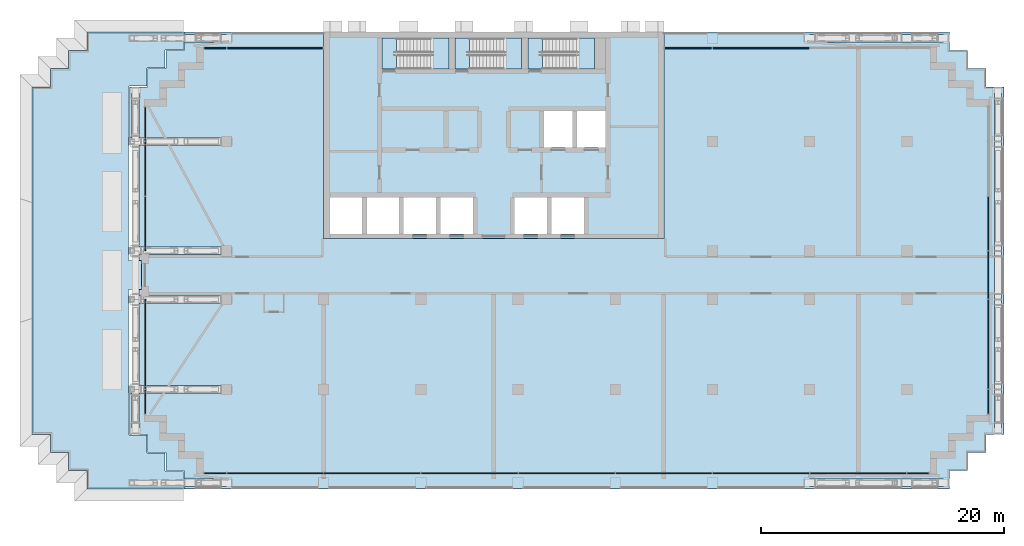
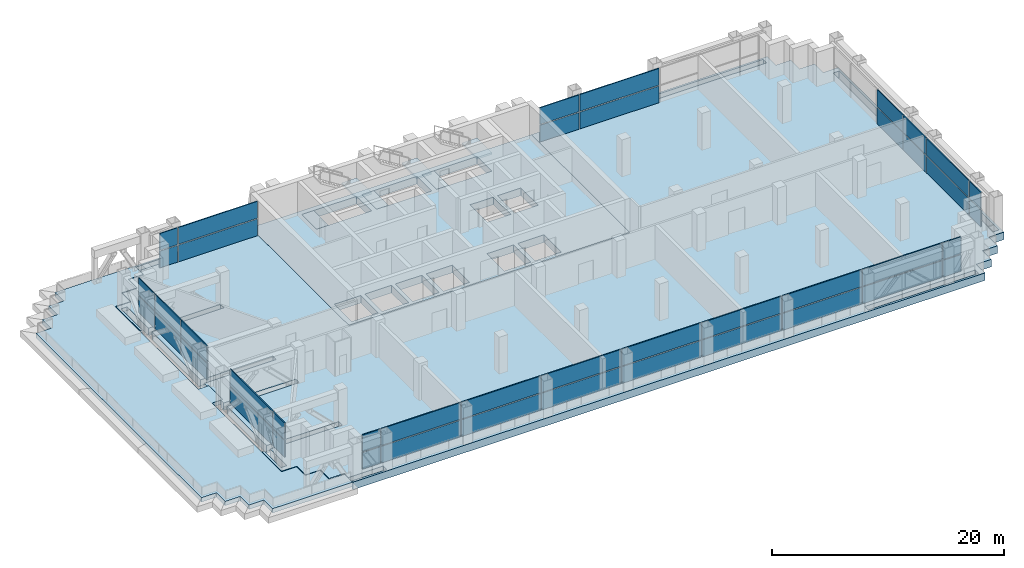
# One storey, part 6 of 19: 44 plates, 9 slabs, 9 elements without a shape of their own.
"""IFC4 building model written with IfcOpenShell, lengths in metres."""

from ifc_helpers import new_model, si_unit, direction, frame, origin, origin_2d, place, context, subcontext, project, spatial, polyline, rectangle, outline, extrude, material, layer, layer_set, type_object, element, aggregate, save


model = new_model("IFC4")

# Units and contexts
model_context = context("Model", 3, precision=1e-05, world=origin(), true_north=direction((0.0, 1.0)))
body_context = subcontext(model_context, "Body", "Model", "MODEL_VIEW")
ifc_project = project(units=[si_unit("LENGTHUNIT", "METRE"), si_unit("AREAUNIT", "SQUARE_METRE"), si_unit("VOLUMEUNIT", "CUBIC_METRE"), si_unit("PLANEANGLEUNIT", "RADIAN"), si_unit("MASSUNIT", "GRAM", prefix="KILO")], contexts=[model_context])

# Site, building, storey
site_placement = place(None, origin())
site = spatial("IfcSite", under=ifc_project, at=site_placement, CompositionType="ELEMENT")
building_placement = place(site_placement, origin())
building = spatial("IfcBuilding", under=site, at=building_placement, Name="Vidyagriha Tower", CompositionType="ELEMENT")
storey_placement = place(building_placement, frame((0.0, 0.0, 73.60009765625)))
storey = spatial("IfcBuildingStorey", under=building, at=storey_placement, Name="L18", CompositionType="ELEMENT", Elevation=73.60009765625)

# Slabs
ifc_material_1 = material(Name="Concrete C60/75", Category="concrete")
ifc_layer_1 = layer(ifc_material_1, 0.800048828125)
ifc_layer_set_1 = layer_set([ifc_layer_1], Name="Concrete C60/75")
slab_type_1 = type_object("IfcSlabType", Name="Core floor slab 800 mm", PredefinedType="FLOOR", material=ifc_layer_set_1)
slab_1_placement = place(storey_placement, frame((0.0, 0.0, -0.800048828125)))
element("IfcSlab", 1, at=slab_1_placement, inside=storey, type_object=slab_type_1, Name="L18 core floor 1", PredefinedType="FLOOR", context=body_context, shape_type="SweptSolid", body=[
    extrude(outline(polyline([(-14.0, 3.0), (-14.0, 20.0), (14.0, 20.0), (14.0, 3.0), (-14.0, 3.0)]), holes=[polyline([(9.199951171875, 13.5), (6.86669921875, 13.5), (6.86669921875, 10.5), (9.199951171875, 10.5), (9.199951171875, 13.5)]), polyline([(4.0, 19.5), (2.800048828125, 19.5), (2.800048828125, 16.949951171875), (4.0, 16.949951171875), (8.300048828125, 16.949951171875), (8.300048828125, 19.5), (4.0, 19.5)]), polyline([(7.4111328125, 6.39990234375), (4.7666015625, 6.39990234375), (4.7666015625, 3.39990234375), (7.4111328125, 3.39990234375), (7.4111328125, 6.39990234375)]), polyline([(6.466796875, 13.5), (4.13330078125, 13.5), (4.13330078125, 10.5), (6.466796875, 10.5), (6.466796875, 13.5)]), polyline([(1.72216796875, 6.39990234375), (1.72216796875, 3.39990234375), (4.36669921875, 3.39990234375), (4.36669921875, 6.39990234375), (1.72216796875, 6.39990234375)]), polyline([(-2.0, 16.949951171875), (2.300048828125, 16.949951171875), (2.300048828125, 19.5), (-2.0, 19.5), (-3.199951171875, 19.5), (-3.199951171875, 16.949951171875), (-2.0, 16.949951171875)]), polyline([(-1.72216796875, 6.39990234375), (-4.36669921875, 6.39990234375), (-4.36669921875, 3.39990234375), (-1.72216796875, 3.39990234375), (-1.72216796875, 6.39990234375)]), polyline([(-8.0, 19.5), (-9.199951171875, 19.5), (-9.199951171875, 16.949951171875), (-8.0, 16.949951171875), (-3.699951171875, 16.949951171875), (-3.699951171875, 19.5), (-8.0, 19.5)]), polyline([(-4.7666015625, 6.39990234375), (-7.4111328125, 6.39990234375), (-7.4111328125, 3.39990234375), (-4.7666015625, 3.39990234375), (-4.7666015625, 6.39990234375)]), polyline([(-7.81103515625, 6.39990234375), (-10.45556640625, 6.39990234375), (-10.45556640625, 3.39990234375), (-7.81103515625, 3.39990234375), (-7.81103515625, 6.39990234375)]), polyline([(-13.5, 6.39990234375), (-13.5, 3.39990234375), (-10.855712890625, 3.39990234375), (-10.855712890625, 6.39990234375), (-13.5, 6.39990234375)])]), origin(), (0.0, 0.0, 1.0), 0.800048828125),
])
ifc_material_2 = material(Name="Concrete C40/50", Category="concrete")
ifc_layer_2 = layer(ifc_material_2, 0.800048828125)
ifc_layer_set_2 = layer_set([ifc_layer_2], Name="Concrete C40/50")
slab_type_2 = type_object("IfcSlabType", Name="Exit stair floor landing 800 mm", PredefinedType="LANDING", material=ifc_layer_set_2)
slab_2_placement = place(storey_placement, frame((0.0, 0.0, -0.800048828125)))
element("IfcSlab", 2, at=slab_2_placement, inside=storey, type_object=slab_type_2, Name="ST1 floor landing L18", PredefinedType="LANDING", context=body_context, shape_type="SweptSolid", body=[
    extrude(outline(polyline([(-9.199951171875, 16.949951171875), (-8.0, 16.949951171875), (-8.0, 19.5), (-9.199951171875, 19.5), (-9.199951171875, 16.949951171875)])), origin(), (0.0, 0.0, 1.0), 0.800048828125),
])
slab_3_placement = place(storey_placement, frame((0.0, 0.0, -0.800048828125)))
element("IfcSlab", 3, at=slab_3_placement, inside=storey, type_object=slab_type_2, Name="ST2 floor landing L18", PredefinedType="LANDING", context=body_context, shape_type="SweptSolid", body=[
    extrude(outline(polyline([(-3.199951171875, 16.949951171875), (-2.0, 16.949951171875), (-2.0, 19.5), (-3.199951171875, 19.5), (-3.199951171875, 16.949951171875)])), origin(), (0.0, 0.0, 1.0), 0.800048828125),
])
slab_4_placement = place(storey_placement, frame((0.0, 0.0, -0.800048828125)))
element("IfcSlab", 4, at=slab_4_placement, inside=storey, type_object=slab_type_2, Name="ST3 floor landing L18", PredefinedType="LANDING", context=body_context, shape_type="SweptSolid", body=[
    extrude(outline(polyline([(2.800048828125, 16.949951171875), (4.0, 16.949951171875), (4.0, 19.5), (2.800048828125, 19.5), (2.800048828125, 16.949951171875)])), origin(), (0.0, 0.0, 1.0), 0.800048828125),
])

# Stair, slab
ifc_material_3 = material(Name="Concrete C40/50", Category="concrete")
stair_type = type_object("IfcStairType", Name="Exit stair, half-turn, precast flights", PredefinedType="HALF_TURN_STAIR", material=ifc_material_3)
stair_1_placement = place(storey_placement, origin())
stair_1 = element("IfcStair", 5, at=stair_1_placement, inside=storey, type_object=stair_type, Name="L18 Exit Stair ST1", PredefinedType="HALF_TURN_STAIR")
ifc_material_4 = material(Name="Concrete C40/50", Category="concrete")
ifc_layer_3 = layer(ifc_material_4, 0.199951171875)
ifc_layer_set_3 = layer_set([ifc_layer_3], Name="Concrete C40/50")
slab_type_3 = type_object("IfcSlabType", Name="Exit stair landing 200 mm", PredefinedType="LANDING", material=ifc_layer_set_3)
slab_5_placement = place(storey_placement, frame((0.0, 0.0, 1.75)))
slab_5 = element("IfcSlab", 6, at=slab_5_placement, type_object=slab_type_3, Name="ST1 landing 1", PredefinedType="LANDING", context=body_context, shape_type="SweptSolid", body=[
    extrude(outline(polyline([(-5.199951171875, 16.949951171875), (-3.699951171875, 16.949951171875), (-3.699951171875, 19.5), (-5.199951171875, 19.5), (-5.199951171875, 16.949951171875)])), origin(), (0.0, 0.0, 1.0), 0.199951171875),
])
aggregate(stair_1, [slab_5])

stair_2_placement = place(storey_placement, origin())
stair_2 = element("IfcStair", 7, at=stair_2_placement, inside=storey, type_object=stair_type, Name="L18 Exit Stair ST2", PredefinedType="HALF_TURN_STAIR")
slab_6_placement = place(storey_placement, frame((0.0, 0.0, 1.75)))
slab_6 = element("IfcSlab", 8, at=slab_6_placement, type_object=slab_type_3, Name="ST2 landing 1", PredefinedType="LANDING", context=body_context, shape_type="SweptSolid", body=[
    extrude(outline(polyline([(0.800048828125, 16.949951171875), (2.300048828125, 16.949951171875), (2.300048828125, 19.5), (0.800048828125, 19.5), (0.800048828125, 16.949951171875)])), origin(), (0.0, 0.0, 1.0), 0.199951171875),
])
aggregate(stair_2, [slab_6])

stair_3_placement = place(storey_placement, origin())
stair_3 = element("IfcStair", 9, at=stair_3_placement, inside=storey, type_object=stair_type, Name="L18 Exit Stair ST3", PredefinedType="HALF_TURN_STAIR")
slab_7_placement = place(storey_placement, frame((0.0, 0.0, 1.75)))
slab_7 = element("IfcSlab", 10, at=slab_7_placement, type_object=slab_type_3, Name="ST3 landing 1", PredefinedType="LANDING", context=body_context, shape_type="SweptSolid", body=[
    extrude(outline(polyline([(6.800048828125, 16.949951171875), (8.300048828125, 16.949951171875), (8.300048828125, 19.5), (6.800048828125, 19.5), (6.800048828125, 16.949951171875)])), origin(), (0.0, 0.0, 1.0), 0.199951171875),
])
aggregate(stair_3, [slab_7])

# Curtain wall, plates
ifc_material_5 = material(Name="Aluminium and glass curtain wall", Category="aluminium")
curtain_wall_type = type_object("IfcCurtainWallType", Name="Plant louvre wall", PredefinedType="USERDEFINED", material=ifc_material_5)
curtain_wall_1_placement = place(storey_placement, origin())
curtain_wall_1 = element("IfcCurtainWall", 11, at=curtain_wall_1_placement, inside=storey, type_object=curtain_wall_type, Name="CW7 plant louvre wall", ObjectType="STICK GLAZING", PredefinedType="USERDEFINED")
ifc_material_6 = material(Name="Perforated fired clay brick jaali screen", Category="masonry")
ifc_layer_4 = layer(ifc_material_6, 0.10009765625)
ifc_layer_set_4 = layer_set([ifc_layer_4], Name="Perforated fired clay brick jaali screen")
plate_type = type_object("IfcPlateType", Name="Perforated brick jaali screen panel", PredefinedType="CURTAIN_PANEL", material=ifc_layer_set_4)
plate_1_placement = place(storey_placement, frame((22.0, 18.699951171875, 0.0), z_axis=(0.0, 0.0, 1.0), x_axis=(-1.0, 0.0, 0.0)))
plate_1 = element("IfcPlate", 12, at=plate_1_placement, type_object=plate_type, Name="CW7 panel 3.1", PredefinedType="CURTAIN_PANEL", context=body_context, shape_type="SweptSolid", body=[
    extrude(rectangle(XDim=7.919921875, YDim=0.10009765625, at=origin_2d()), origin(), (0.0, 0.0, 1.0), 1.760009765625),
])
plate_2_placement = place(storey_placement, frame((22.0, 18.699951171875, 1.85986328125), z_axis=(0.0, 0.0, 1.0), x_axis=(-1.0, 0.0, 0.0)))
plate_2 = element("IfcPlate", 13, at=plate_2_placement, type_object=plate_type, Name="CW7 panel 3.2", PredefinedType="CURTAIN_PANEL", context=body_context, shape_type="SweptSolid", body=[
    extrude(rectangle(XDim=7.919921875, YDim=0.10009765625, at=origin_2d()), origin(), (0.0, 0.0, 1.0), 1.760009765625),
])
plate_3_placement = place(storey_placement, frame((16.02001953125, 18.699951171875, 0.0), z_axis=(0.0, 0.0, 1.0), x_axis=(-1.0, 0.0, 0.0)))
plate_3 = element("IfcPlate", 14, at=plate_3_placement, type_object=plate_type, Name="CW7 panel 4.1", PredefinedType="CURTAIN_PANEL", context=body_context, shape_type="SweptSolid", body=[
    extrude(rectangle(XDim=3.8798828125, YDim=0.10009765625, at=origin_2d()), origin(), (0.0, 0.0, 1.0), 1.760009765625),
])
plate_4_placement = place(storey_placement, frame((16.02001953125, 18.699951171875, 1.85986328125), z_axis=(0.0, 0.0, 1.0), x_axis=(-1.0, 0.0, 0.0)))
plate_4 = element("IfcPlate", 15, at=plate_4_placement, type_object=plate_type, Name="CW7 panel 4.2", PredefinedType="CURTAIN_PANEL", context=body_context, shape_type="SweptSolid", body=[
    extrude(rectangle(XDim=3.8798828125, YDim=0.10009765625, at=origin_2d()), origin(), (0.0, 0.0, 1.0), 1.760009765625),
])
aggregate(curtain_wall_1, [plate_1, plate_2, plate_3, plate_4])

curtain_wall_2_placement = place(storey_placement, origin())
curtain_wall_2 = element("IfcCurtainWall", 16, at=curtain_wall_2_placement, inside=storey, type_object=curtain_wall_type, Name="CW7 plant louvre wall", ObjectType="STICK GLAZING", PredefinedType="USERDEFINED")
plate_5_placement = place(storey_placement, frame((-18.02001953125, 18.699951171875, 0.0), z_axis=(0.0, 0.0, 1.0), x_axis=(-1.0, 0.0, 0.0)))
plate_5 = element("IfcPlate", 17, at=plate_5_placement, type_object=plate_type, Name="CW7 panel 1.1", PredefinedType="CURTAIN_PANEL", context=body_context, shape_type="SweptSolid", body=[
    extrude(rectangle(XDim=7.8798828125, YDim=0.10009765625, at=origin_2d()), origin(), (0.0, 0.0, 1.0), 1.760009765625),
])
plate_6_placement = place(storey_placement, frame((-18.02001953125, 18.699951171875, 1.85986328125), z_axis=(0.0, 0.0, 1.0), x_axis=(-1.0, 0.0, 0.0)))
plate_6 = element("IfcPlate", 18, at=plate_6_placement, type_object=plate_type, Name="CW7 panel 1.2", PredefinedType="CURTAIN_PANEL", context=body_context, shape_type="SweptSolid", body=[
    extrude(rectangle(XDim=7.8798828125, YDim=0.10009765625, at=origin_2d()), origin(), (0.0, 0.0, 1.0), 1.760009765625),
])
plate_7_placement = place(storey_placement, frame((-22.929931640625, 18.699951171875, 0.0), z_axis=(0.0, 0.0, 1.0), x_axis=(-1.0, 0.0, 0.0)))
plate_7 = element("IfcPlate", 19, at=plate_7_placement, type_object=plate_type, Name="CW7 panel 2.1", PredefinedType="CURTAIN_PANEL", context=body_context, shape_type="SweptSolid", body=[
    extrude(rectangle(XDim=1.780029296875, YDim=0.10009765625, at=origin_2d()), origin(), (0.0, 0.0, 1.0), 1.760009765625),
])
plate_8_placement = place(storey_placement, frame((-22.929931640625, 18.699951171875, 1.85986328125), z_axis=(0.0, 0.0, 1.0), x_axis=(-1.0, 0.0, 0.0)))
plate_8 = element("IfcPlate", 20, at=plate_8_placement, type_object=plate_type, Name="CW7 panel 2.2", PredefinedType="CURTAIN_PANEL", context=body_context, shape_type="SweptSolid", body=[
    extrude(rectangle(XDim=1.780029296875, YDim=0.10009765625, at=origin_2d()), origin(), (0.0, 0.0, 1.0), 1.760009765625),
])
aggregate(curtain_wall_2, [plate_5, plate_6, plate_7, plate_8])

curtain_wall_3_placement = place(storey_placement, origin())
curtain_wall_3 = element("IfcCurtainWall", 21, at=curtain_wall_3_placement, inside=storey, type_object=curtain_wall_type, Name="CW7 plant louvre wall", ObjectType="STICK GLAZING", PredefinedType="USERDEFINED")
plate_9_placement = place(storey_placement, frame((-28.699951171875, 12.429931640625, 0.0), z_axis=(0.0, 0.0, 1.0), x_axis=(0.0, -1.0, 0.0)))
plate_9 = element("IfcPlate", 22, at=plate_9_placement, type_object=plate_type, Name="CW7 panel 1.1", PredefinedType="CURTAIN_PANEL", context=body_context, shape_type="SweptSolid", body=[
    extrude(rectangle(XDim=2.780029296875, YDim=0.10009765625, at=origin_2d()), origin(), (0.0, 0.0, 1.0), 1.760009765625),
])
plate_10_placement = place(storey_placement, frame((-28.699951171875, 12.429931640625, 1.85986328125), z_axis=(0.0, 0.0, 1.0), x_axis=(0.0, -1.0, 0.0)))
plate_10 = element("IfcPlate", 23, at=plate_10_placement, type_object=plate_type, Name="CW7 panel 1.2", PredefinedType="CURTAIN_PANEL", context=body_context, shape_type="SweptSolid", body=[
    extrude(rectangle(XDim=2.780029296875, YDim=0.10009765625, at=origin_2d()), origin(), (0.0, 0.0, 1.0), 1.760009765625),
])
plate_11_placement = place(storey_placement, frame((-28.699951171875, 8.75, 0.0), z_axis=(0.0, 0.0, 1.0), x_axis=(0.0, -1.0, 0.0)))
plate_11 = element("IfcPlate", 24, at=plate_11_placement, type_object=plate_type, Name="CW7 panel 2.1", PredefinedType="CURTAIN_PANEL", context=body_context, shape_type="SweptSolid", body=[
    extrude(rectangle(XDim=4.419921875, YDim=0.10009765625, at=origin_2d()), origin(), (0.0, 0.0, 1.0), 1.760009765625),
])
plate_12_placement = place(storey_placement, frame((-28.699951171875, 8.75, 1.85986328125), z_axis=(0.0, 0.0, 1.0), x_axis=(0.0, -1.0, 0.0)))
plate_12 = element("IfcPlate", 25, at=plate_12_placement, type_object=plate_type, Name="CW7 panel 2.2", PredefinedType="CURTAIN_PANEL", context=body_context, shape_type="SweptSolid", body=[
    extrude(rectangle(XDim=4.419921875, YDim=0.10009765625, at=origin_2d()), origin(), (0.0, 0.0, 1.0), 1.760009765625),
])
plate_13_placement = place(storey_placement, frame((-28.699951171875, 4.22998046875, 0.0), z_axis=(0.0, 0.0, 1.0), x_axis=(0.0, -1.0, 0.0)))
plate_13 = element("IfcPlate", 26, at=plate_13_placement, type_object=plate_type, Name="CW7 panel 3.1", PredefinedType="CURTAIN_PANEL", context=body_context, shape_type="SweptSolid", body=[
    extrude(rectangle(XDim=4.4599609375, YDim=0.10009765625, at=origin_2d()), origin(), (0.0, 0.0, 1.0), 1.760009765625),
])
plate_14_placement = place(storey_placement, frame((-28.699951171875, 4.22998046875, 1.85986328125), z_axis=(0.0, 0.0, 1.0), x_axis=(0.0, -1.0, 0.0)))
plate_14 = element("IfcPlate", 27, at=plate_14_placement, type_object=plate_type, Name="CW7 panel 3.2", PredefinedType="CURTAIN_PANEL", context=body_context, shape_type="SweptSolid", body=[
    extrude(rectangle(XDim=4.4599609375, YDim=0.10009765625, at=origin_2d()), origin(), (0.0, 0.0, 1.0), 1.760009765625),
])
aggregate(curtain_wall_3, [plate_9, plate_10, plate_11, plate_12, plate_13, plate_14])

curtain_wall_4_placement = place(storey_placement, origin())
curtain_wall_4 = element("IfcCurtainWall", 28, at=curtain_wall_4_placement, inside=storey, type_object=curtain_wall_type, Name="CW7 plant louvre wall", ObjectType="STICK GLAZING", PredefinedType="USERDEFINED")
plate_15_placement = place(storey_placement, frame((-28.699951171875, -5.679931640625, 0.0), z_axis=(0.0, 0.0, 1.0), x_axis=(0.0, -1.0, 0.0)))
plate_15 = element("IfcPlate", 29, at=plate_15_placement, type_object=plate_type, Name="CW7 panel 1.1", PredefinedType="CURTAIN_PANEL", context=body_context, shape_type="SweptSolid", body=[
    extrude(rectangle(XDim=7.360107421875, YDim=0.10009765625, at=origin_2d()), origin(), (0.0, 0.0, 1.0), 1.760009765625),
])
plate_16_placement = place(storey_placement, frame((-28.699951171875, -5.679931640625, 1.85986328125), z_axis=(0.0, 0.0, 1.0), x_axis=(0.0, -1.0, 0.0)))
plate_16 = element("IfcPlate", 30, at=plate_16_placement, type_object=plate_type, Name="CW7 panel 1.2", PredefinedType="CURTAIN_PANEL", context=body_context, shape_type="SweptSolid", body=[
    extrude(rectangle(XDim=7.360107421875, YDim=0.10009765625, at=origin_2d()), origin(), (0.0, 0.0, 1.0), 1.760009765625),
])
plate_17_placement = place(storey_placement, frame((-28.699951171875, -10.429931640625, 0.0), z_axis=(0.0, 0.0, 1.0), x_axis=(0.0, -1.0, 0.0)))
plate_17 = element("IfcPlate", 31, at=plate_17_placement, type_object=plate_type, Name="CW7 panel 2.1", PredefinedType="CURTAIN_PANEL", context=body_context, shape_type="SweptSolid", body=[
    extrude(rectangle(XDim=1.97998046875, YDim=0.10009765625, at=origin_2d()), origin(), (0.0, 0.0, 1.0), 1.760009765625),
])
plate_18_placement = place(storey_placement, frame((-28.699951171875, -10.429931640625, 1.85986328125), z_axis=(0.0, 0.0, 1.0), x_axis=(0.0, -1.0, 0.0)))
plate_18 = element("IfcPlate", 32, at=plate_18_placement, type_object=plate_type, Name="CW7 panel 2.2", PredefinedType="CURTAIN_PANEL", context=body_context, shape_type="SweptSolid", body=[
    extrude(rectangle(XDim=1.97998046875, YDim=0.10009765625, at=origin_2d()), origin(), (0.0, 0.0, 1.0), 1.760009765625),
])
aggregate(curtain_wall_4, [plate_15, plate_16, plate_17, plate_18])

curtain_wall_5_placement = place(storey_placement, origin())
curtain_wall_5 = element("IfcCurtainWall", 33, at=curtain_wall_5_placement, inside=storey, type_object=curtain_wall_type, Name="CW7 plant louvre wall", ObjectType="STICK GLAZING", PredefinedType="USERDEFINED")
plate_19_placement = place(storey_placement, frame((-22.929931640625, -16.300048828125, 0.0)))
plate_19 = element("IfcPlate", 34, at=plate_19_placement, type_object=plate_type, Name="CW7 panel 1.1", PredefinedType="CURTAIN_PANEL", context=body_context, shape_type="SweptSolid", body=[
    extrude(rectangle(XDim=1.780029296875, YDim=0.10009765625, at=origin_2d()), origin(), (0.0, 0.0, 1.0), 1.760009765625),
])
plate_20_placement = place(storey_placement, frame((-22.929931640625, -16.300048828125, 1.85986328125)))
plate_20 = element("IfcPlate", 35, at=plate_20_placement, type_object=plate_type, Name="CW7 panel 1.2", PredefinedType="CURTAIN_PANEL", context=body_context, shape_type="SweptSolid", body=[
    extrude(rectangle(XDim=1.780029296875, YDim=0.10009765625, at=origin_2d()), origin(), (0.0, 0.0, 1.0), 1.760009765625),
])
plate_21_placement = place(storey_placement, frame((-18.0, -16.300048828125, 0.0)))
plate_21 = element("IfcPlate", 36, at=plate_21_placement, type_object=plate_type, Name="CW7 panel 2.1", PredefinedType="CURTAIN_PANEL", context=body_context, shape_type="SweptSolid", body=[
    extrude(rectangle(XDim=7.919921875, YDim=0.10009765625, at=origin_2d()), origin(), (0.0, 0.0, 1.0), 1.760009765625),
])
plate_22_placement = place(storey_placement, frame((-18.0, -16.300048828125, 1.85986328125)))
plate_22 = element("IfcPlate", 37, at=plate_22_placement, type_object=plate_type, Name="CW7 panel 2.2", PredefinedType="CURTAIN_PANEL", context=body_context, shape_type="SweptSolid", body=[
    extrude(rectangle(XDim=7.919921875, YDim=0.10009765625, at=origin_2d()), origin(), (0.0, 0.0, 1.0), 1.760009765625),
])
plate_23_placement = place(storey_placement, frame((-10.0, -16.300048828125, 0.0)))
plate_23 = element("IfcPlate", 38, at=plate_23_placement, type_object=plate_type, Name="CW7 panel 3.1", PredefinedType="CURTAIN_PANEL", context=body_context, shape_type="SweptSolid", body=[
    extrude(rectangle(XDim=7.919921875, YDim=0.10009765625, at=origin_2d()), origin(), (0.0, 0.0, 1.0), 1.760009765625),
])
plate_24_placement = place(storey_placement, frame((-10.0, -16.300048828125, 1.85986328125)))
plate_24 = element("IfcPlate", 39, at=plate_24_placement, type_object=plate_type, Name="CW7 panel 3.2", PredefinedType="CURTAIN_PANEL", context=body_context, shape_type="SweptSolid", body=[
    extrude(rectangle(XDim=7.919921875, YDim=0.10009765625, at=origin_2d()), origin(), (0.0, 0.0, 1.0), 1.760009765625),
])
plate_25_placement = place(storey_placement, frame((-2.0, -16.300048828125, 0.0)))
plate_25 = element("IfcPlate", 40, at=plate_25_placement, type_object=plate_type, Name="CW7 panel 4.1", PredefinedType="CURTAIN_PANEL", context=body_context, shape_type="SweptSolid", body=[
    extrude(rectangle(XDim=7.919921875, YDim=0.10009765625, at=origin_2d()), origin(), (0.0, 0.0, 1.0), 1.760009765625),
])
plate_26_placement = place(storey_placement, frame((-2.0, -16.300048828125, 1.85986328125)))
plate_26 = element("IfcPlate", 41, at=plate_26_placement, type_object=plate_type, Name="CW7 panel 4.2", PredefinedType="CURTAIN_PANEL", context=body_context, shape_type="SweptSolid", body=[
    extrude(rectangle(XDim=7.919921875, YDim=0.10009765625, at=origin_2d()), origin(), (0.0, 0.0, 1.0), 1.760009765625),
])
plate_27_placement = place(storey_placement, frame((6.0, -16.300048828125, 0.0)))
plate_27 = element("IfcPlate", 42, at=plate_27_placement, type_object=plate_type, Name="CW7 panel 5.1", PredefinedType="CURTAIN_PANEL", context=body_context, shape_type="SweptSolid", body=[
    extrude(rectangle(XDim=7.919921875, YDim=0.10009765625, at=origin_2d()), origin(), (0.0, 0.0, 1.0), 1.760009765625),
])
plate_28_placement = place(storey_placement, frame((6.0, -16.300048828125, 1.85986328125)))
plate_28 = element("IfcPlate", 43, at=plate_28_placement, type_object=plate_type, Name="CW7 panel 5.2", PredefinedType="CURTAIN_PANEL", context=body_context, shape_type="SweptSolid", body=[
    extrude(rectangle(XDim=7.919921875, YDim=0.10009765625, at=origin_2d()), origin(), (0.0, 0.0, 1.0), 1.760009765625),
])
plate_29_placement = place(storey_placement, frame((14.0, -16.300048828125, 0.0)))
plate_29 = element("IfcPlate", 44, at=plate_29_placement, type_object=plate_type, Name="CW7 panel 6.1", PredefinedType="CURTAIN_PANEL", context=body_context, shape_type="SweptSolid", body=[
    extrude(rectangle(XDim=7.919921875, YDim=0.10009765625, at=origin_2d()), origin(), (0.0, 0.0, 1.0), 1.760009765625),
])
plate_30_placement = place(storey_placement, frame((14.0, -16.300048828125, 1.85986328125)))
plate_30 = element("IfcPlate", 45, at=plate_30_placement, type_object=plate_type, Name="CW7 panel 6.2", PredefinedType="CURTAIN_PANEL", context=body_context, shape_type="SweptSolid", body=[
    extrude(rectangle(XDim=7.919921875, YDim=0.10009765625, at=origin_2d()), origin(), (0.0, 0.0, 1.0), 1.760009765625),
])
plate_31_placement = place(storey_placement, frame((22.0, -16.300048828125, 0.0)))
plate_31 = element("IfcPlate", 46, at=plate_31_placement, type_object=plate_type, Name="CW7 panel 7.1", PredefinedType="CURTAIN_PANEL", context=body_context, shape_type="SweptSolid", body=[
    extrude(rectangle(XDim=7.919921875, YDim=0.10009765625, at=origin_2d()), origin(), (0.0, 0.0, 1.0), 1.760009765625),
])
plate_32_placement = place(storey_placement, frame((22.0, -16.300048828125, 1.85986328125)))
plate_32 = element("IfcPlate", 47, at=plate_32_placement, type_object=plate_type, Name="CW7 panel 7.2", PredefinedType="CURTAIN_PANEL", context=body_context, shape_type="SweptSolid", body=[
    extrude(rectangle(XDim=7.919921875, YDim=0.10009765625, at=origin_2d()), origin(), (0.0, 0.0, 1.0), 1.760009765625),
])
plate_33_placement = place(storey_placement, frame((30.0, -16.300048828125, 0.0)))
plate_33 = element("IfcPlate", 48, at=plate_33_placement, type_object=plate_type, Name="CW7 panel 8.1", PredefinedType="CURTAIN_PANEL", context=body_context, shape_type="SweptSolid", body=[
    extrude(rectangle(XDim=7.919921875, YDim=0.10009765625, at=origin_2d()), origin(), (0.0, 0.0, 1.0), 1.760009765625),
])
plate_34_placement = place(storey_placement, frame((30.0, -16.300048828125, 1.85986328125)))
plate_34 = element("IfcPlate", 49, at=plate_34_placement, type_object=plate_type, Name="CW7 panel 8.2", PredefinedType="CURTAIN_PANEL", context=body_context, shape_type="SweptSolid", body=[
    extrude(rectangle(XDim=7.919921875, YDim=0.10009765625, at=origin_2d()), origin(), (0.0, 0.0, 1.0), 1.760009765625),
])
plate_35_placement = place(storey_placement, frame((34.929931640625, -16.300048828125, 0.0)))
plate_35 = element("IfcPlate", 50, at=plate_35_placement, type_object=plate_type, Name="CW7 panel 9.1", PredefinedType="CURTAIN_PANEL", context=body_context, shape_type="SweptSolid", body=[
    extrude(rectangle(XDim=1.780029296875, YDim=0.10009765625, at=origin_2d()), origin(), (0.0, 0.0, 1.0), 1.760009765625),
])
plate_36_placement = place(storey_placement, frame((34.929931640625, -16.300048828125, 1.85986328125)))
plate_36 = element("IfcPlate", 51, at=plate_36_placement, type_object=plate_type, Name="CW7 panel 9.2", PredefinedType="CURTAIN_PANEL", context=body_context, shape_type="SweptSolid", body=[
    extrude(rectangle(XDim=1.780029296875, YDim=0.10009765625, at=origin_2d()), origin(), (0.0, 0.0, 1.0), 1.760009765625),
])
aggregate(curtain_wall_5, [plate_19, plate_20, plate_21, plate_22, plate_23, plate_24, plate_25, plate_26, plate_27, plate_28, plate_29, plate_30, plate_31, plate_32, plate_33, plate_34, plate_35, plate_36])

curtain_wall_6_placement = place(storey_placement, origin())
curtain_wall_6 = element("IfcCurtainWall", 52, at=curtain_wall_6_placement, inside=storey, type_object=curtain_wall_type, Name="CW7 plant louvre wall", ObjectType="STICK GLAZING", PredefinedType="USERDEFINED")
plate_37_placement = place(storey_placement, frame((40.699951171875, -10.429931640625, 0.0), z_axis=(0.0, 0.0, 1.0), x_axis=(0.0, 1.0, 0.0)))
plate_37 = element("IfcPlate", 53, at=plate_37_placement, type_object=plate_type, Name="CW7 panel 1.1", PredefinedType="CURTAIN_PANEL", context=body_context, shape_type="SweptSolid", body=[
    extrude(rectangle(XDim=1.97998046875, YDim=0.10009765625, at=origin_2d()), origin(), (0.0, 0.0, 1.0), 1.760009765625),
])
plate_38_placement = place(storey_placement, frame((40.699951171875, -10.429931640625, 1.85986328125), z_axis=(0.0, 0.0, 1.0), x_axis=(0.0, 1.0, 0.0)))
plate_38 = element("IfcPlate", 54, at=plate_38_placement, type_object=plate_type, Name="CW7 panel 1.2", PredefinedType="CURTAIN_PANEL", context=body_context, shape_type="SweptSolid", body=[
    extrude(rectangle(XDim=1.97998046875, YDim=0.10009765625, at=origin_2d()), origin(), (0.0, 0.0, 1.0), 1.760009765625),
])
plate_39_placement = place(storey_placement, frame((40.699951171875, -5.699951171875, 0.0), z_axis=(0.0, 0.0, 1.0), x_axis=(0.0, 1.0, 0.0)))
plate_39 = element("IfcPlate", 55, at=plate_39_placement, type_object=plate_type, Name="CW7 panel 2.1", PredefinedType="CURTAIN_PANEL", context=body_context, shape_type="SweptSolid", body=[
    extrude(rectangle(XDim=7.320068359375, YDim=0.10009765625, at=origin_2d()), origin(), (0.0, 0.0, 1.0), 1.760009765625),
])
plate_40_placement = place(storey_placement, frame((40.699951171875, -5.699951171875, 1.85986328125), z_axis=(0.0, 0.0, 1.0), x_axis=(0.0, 1.0, 0.0)))
plate_40 = element("IfcPlate", 56, at=plate_40_placement, type_object=plate_type, Name="CW7 panel 2.2", PredefinedType="CURTAIN_PANEL", context=body_context, shape_type="SweptSolid", body=[
    extrude(rectangle(XDim=7.320068359375, YDim=0.10009765625, at=origin_2d()), origin(), (0.0, 0.0, 1.0), 1.760009765625),
])
plate_41_placement = place(storey_placement, frame((40.699951171875, 0.0, 0.0), z_axis=(0.0, 0.0, 1.0), x_axis=(0.0, 1.0, 0.0)))
plate_41 = element("IfcPlate", 57, at=plate_41_placement, type_object=plate_type, Name="CW7 panel 3.1", PredefinedType="CURTAIN_PANEL", context=body_context, shape_type="SweptSolid", body=[
    extrude(rectangle(XDim=3.919921875, YDim=0.10009765625, at=origin_2d()), origin(), (0.0, 0.0, 1.0), 1.760009765625),
])
plate_42_placement = place(storey_placement, frame((40.699951171875, 0.0, 1.85986328125), z_axis=(0.0, 0.0, 1.0), x_axis=(0.0, 1.0, 0.0)))
plate_42 = element("IfcPlate", 58, at=plate_42_placement, type_object=plate_type, Name="CW7 panel 3.2", PredefinedType="CURTAIN_PANEL", context=body_context, shape_type="SweptSolid", body=[
    extrude(rectangle(XDim=3.919921875, YDim=0.10009765625, at=origin_2d()), origin(), (0.0, 0.0, 1.0), 1.760009765625),
])
plate_43_placement = place(storey_placement, frame((40.699951171875, 4.25, 0.0), z_axis=(0.0, 0.0, 1.0), x_axis=(0.0, 1.0, 0.0)))
plate_43 = element("IfcPlate", 59, at=plate_43_placement, type_object=plate_type, Name="CW7 panel 4.1", PredefinedType="CURTAIN_PANEL", context=body_context, shape_type="SweptSolid", body=[
    extrude(rectangle(XDim=4.419921875, YDim=0.10009765625, at=origin_2d()), origin(), (0.0, 0.0, 1.0), 1.760009765625),
])
plate_44_placement = place(storey_placement, frame((40.699951171875, 4.25, 1.85986328125), z_axis=(0.0, 0.0, 1.0), x_axis=(0.0, 1.0, 0.0)))
plate_44 = element("IfcPlate", 60, at=plate_44_placement, type_object=plate_type, Name="CW7 panel 4.2", PredefinedType="CURTAIN_PANEL", context=body_context, shape_type="SweptSolid", body=[
    extrude(rectangle(XDim=4.419921875, YDim=0.10009765625, at=origin_2d()), origin(), (0.0, 0.0, 1.0), 1.760009765625),
])
aggregate(curtain_wall_6, [plate_37, plate_38, plate_39, plate_40, plate_41, plate_42, plate_43, plate_44])

# Slabs
ifc_material_7 = material(Name="Concrete C50/60", Category="concrete")
ifc_layer_5 = layer(ifc_material_7, 0.449951171875)
ifc_layer_set_5 = layer_set([ifc_layer_5], Name="Concrete C50/60")
slab_type_4 = type_object("IfcSlabType", Name="Post-tensioned terrace slab 450", PredefinedType="FLOOR", material=ifc_layer_set_5)
slab_8_placement = place(storey_placement, frame((0.0, 0.0, -0.4501953125)))
element("IfcSlab", 61, at=slab_8_placement, inside=storey, type_object=slab_type_4, Name="st-terrace-TR-B2-1", PredefinedType="FLOOR", context=body_context, shape_type="SweptSolid", body=[
    extrude(outline(polyline([(-30.050048828125, -1.199951171875), (-30.050048828125, -13.10009765625), (-30.049072265625, -13.10986328125), (-30.046142578125, -13.119140625), (-30.04150390625, -13.127685546875), (-30.035400390625, -13.135498046875), (-30.03173828125, -13.138671875), (-30.01904296875, -13.146240234375), (-30.009765625, -13.14892578125), (-30.0, -13.14990234375), (-28.550048828125, -13.14990234375), (-28.550048828125, -14.60009765625), (-28.5498046875, -14.60498046875), (-28.5478515625, -14.614501953125), (-28.54150390625, -14.627685546875), (-28.535400390625, -14.635498046875), (-28.523681640625, -14.64404296875), (-28.509765625, -14.64892578125), (-28.5, -14.64990234375), (-27.050048828125, -14.64990234375), (-27.050048828125, -16.10009765625), (-27.049072265625, -16.10986328125), (-27.044189453125, -16.12353515625), (-27.035400390625, -16.135498046875), (-27.02783203125, -16.1416015625), (-27.014404296875, -16.147705078125), (-27.0048828125, -16.14990234375), (-27.0, -16.14990234375), (-25.550048828125, -16.14990234375), (-25.550048828125, -17.60009765625), (-33.5, -17.60009765625), (-33.5, -16.10009765625), (-35.0, -16.10009765625), (-35.0, -14.60009765625), (-36.5, -14.60009765625), (-36.5, -13.10009765625), (-38.0, -13.10009765625), (-38.0, 15.5), (-36.5, 15.5), (-36.5, 17.0), (-35.0, 17.0), (-35.0, 18.5), (-33.5, 18.5), (-33.5, 20.0), (-25.550048828125, 20.0), (-25.550048828125, 18.550048828125), (-27.0, 18.550048828125), (-27.0048828125, 18.5498046875), (-27.014404296875, 18.5478515625), (-27.02783203125, 18.54150390625), (-27.035400390625, 18.535400390625), (-27.044189453125, 18.523681640625), (-27.049072265625, 18.509765625), (-27.050048828125, 18.5), (-27.050048828125, 17.050048828125), (-28.5, 17.050048828125), (-28.509765625, 17.049072265625), (-28.523681640625, 17.044189453125), (-28.535400390625, 17.035400390625), (-28.54150390625, 17.02783203125), (-28.5478515625, 17.014404296875), (-28.5498046875, 17.0048828125), (-28.550048828125, 17.0), (-28.550048828125, 15.550048828125), (-30.0, 15.550048828125), (-30.009765625, 15.549072265625), (-30.01904296875, 15.546142578125), (-30.02783203125, 15.54150390625), (-30.035400390625, 15.535400390625), (-30.044189453125, 15.523681640625), (-30.0478515625, 15.514404296875), (-30.0498046875, 15.5048828125), (-30.050048828125, 1.199951171875), (-29.0, 1.199951171875), (-29.0, -1.199951171875), (-30.050048828125, -1.199951171875)])), origin(), (0.0, 0.0, 1.0), 0.4501953125),
])
ifc_material_8 = material(Name="Concrete C50/60", Category="concrete")
ifc_layer_6 = layer(ifc_material_8, 0.800048828125)
ifc_layer_set_6 = layer_set([ifc_layer_6], Name="Concrete C50/60")
slab_type_5 = type_object("IfcSlabType", Name="Post-tensioned transfer deck 800", PredefinedType="FLOOR", material=ifc_layer_set_6)
slab_9_placement = place(storey_placement, frame((0.0, 0.0, -0.800048828125)))
element("IfcSlab", 62, at=slab_9_placement, inside=storey, type_object=slab_type_5, Name="st-slab-L18-1", PredefinedType="FLOOR", context=body_context, shape_type="SweptSolid", body=[
    extrude(outline(polyline([(39.0, -14.60009765625), (39.0, -16.10009765625), (37.5, -16.10009765625), (37.5, -17.60009765625), (-25.5, -17.60009765625), (-25.5, -17.39990234375), (-22.0, -17.39990234375), (-22.0, -16.800048828125), (-25.5, -16.800048828125), (-25.5, -16.10009765625), (-27.0, -16.10009765625), (-27.0, -14.60009765625), (-28.5, -14.60009765625), (-28.5, -13.10009765625), (-30.0, -13.10009765625), (-30.0, -9.699951171875), (-29.800048828125, -9.699951171875), (-29.800048828125, -12.60009765625), (-29.199951171875, -12.60009765625), (-29.199951171875, -9.699951171875), (-22.0, -9.699951171875), (-22.0, -9.10009765625), (-29.199951171875, -9.10009765625), (-29.199951171875, -2.300048828125), (-22.0, -2.300048828125), (-22.0, -1.699951171875), (-29.199951171875, -1.699951171875), (-29.199951171875, -1.199951171875), (-29.0, -1.199951171875), (-29.0, 1.199951171875), (-29.199951171875, 1.199951171875), (-29.199951171875, 1.699951171875), (-22.0, 1.699951171875), (-22.0, 2.300048828125), (-29.199951171875, 2.300048828125), (-29.199951171875, 10.699951171875), (-22.0, 10.699951171875), (-22.0, 11.300048828125), (-29.199951171875, 11.300048828125), (-29.199951171875, 15.0), (-29.800048828125, 15.0), (-29.800048828125, 11.300048828125), (-30.0, 11.300048828125), (-30.0, 15.5), (-28.5, 15.5), (-28.5, 17.0), (-27.0, 17.0), (-27.0, 18.5), (-25.5, 18.5), (-25.5, 19.199951171875), (-22.0, 19.199951171875), (-22.0, 19.800048828125), (-25.5, 19.800048828125), (-25.5, 20.0), (-14.0, 20.0), (-14.0, 3.0), (14.0, 3.0), (14.0, 20.0), (37.5, 20.0), (37.5, 18.5), (39.0, 18.5), (39.0, 17.0), (40.5, 17.0), (40.5, 15.5), (42.0, 15.5), (42.0, -13.10009765625), (40.5, -13.10009765625), (40.5, -14.60009765625), (39.0, -14.60009765625)]), holes=[polyline([(26.0, -17.39990234375), (37.0, -17.39990234375), (37.0, -16.800048828125), (26.0, -16.800048828125), (26.0, -17.39990234375)]), polyline([(41.800048828125, -12.60009765625), (41.800048828125, 15.0), (41.199951171875, 15.0), (41.199951171875, -12.60009765625), (41.800048828125, -12.60009765625)]), polyline([(26.0, 19.800048828125), (26.0, 19.199951171875), (37.0, 19.199951171875), (37.0, 19.800048828125), (26.0, 19.800048828125)])]), origin(), (0.0, 0.0, 1.0), 0.800048828125),
])

save(model, "model.ifc")
